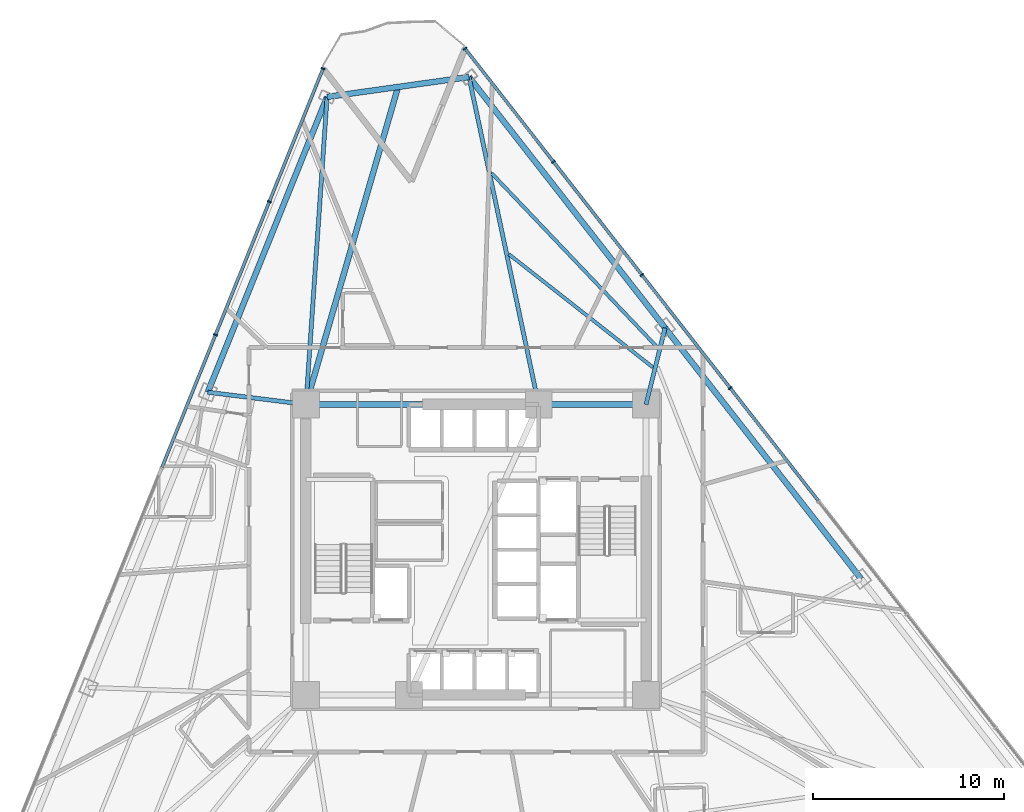
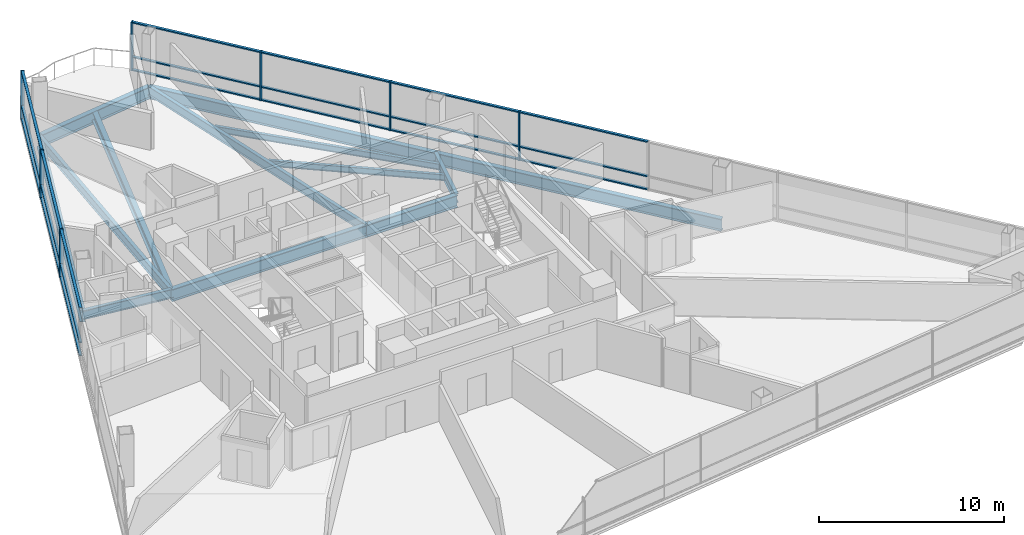
# One storey, part 5 of 15: 28 members, 13 beams, 2 elements without a shape of their own.
"""IFC4 building model written with IfcOpenShell, lengths in metres."""

from ifc_helpers import new_model, si_unit, direction, frame, origin, origin_2d, place, context, subcontext, project, spatial, rectangle, i_section, extrude, material, layer, layer_set, material_profile, profile_set, type_object, element, aggregate, save


model = new_model("IFC4")

# Units and contexts
model_context = context("Model", 3, precision=1e-05, world=origin(), true_north=direction((0.0, 1.0)))
body_context = subcontext(model_context, "Body", "Model", "MODEL_VIEW")
ifc_project = project(units=[si_unit("LENGTHUNIT", "METRE"), si_unit("AREAUNIT", "SQUARE_METRE"), si_unit("VOLUMEUNIT", "CUBIC_METRE"), si_unit("PLANEANGLEUNIT", "RADIAN"), si_unit("MASSUNIT", "GRAM", prefix="KILO")], contexts=[model_context])

# Site, building, storey
site_placement = place(None, origin())
site = spatial("IfcSite", under=ifc_project, at=site_placement, CompositionType="ELEMENT")
building_placement = place(site_placement, origin())
building = spatial("IfcBuilding", under=site, at=building_placement, Name="Tharavind Bronze Gate", CompositionType="ELEMENT")
storey_placement = place(building_placement, frame((0.0, 0.0, 77.64990234375)))
storey = spatial("IfcBuildingStorey", under=building, at=storey_placement, Name="L19", CompositionType="ELEMENT", Elevation=77.64990234375)

# Curtain wall, members
ifc_material_1 = material(Name="Anodised Bronze Aluminium", Category="aluminium")
ifc_layer = layer(ifc_material_1, 0.219970703125)
ifc_layer_set = layer_set([ifc_layer], Name="Anodised Bronze Aluminium")
curtain_wall_type = type_object("IfcCurtainWallType", Name="UNITISED CURTAIN WALL HOTEL", PredefinedType="USERDEFINED", material=ifc_layer_set)
curtain_wall_1_placement = place(storey_placement, origin())
curtain_wall_1 = element("IfcCurtainWall", 1, at=curtain_wall_1_placement, inside=storey, type_object=curtain_wall_type, Name="L19 unitised curtain wall hotel CW-L19-S1", ObjectType="UNITISED CURTAIN WALL", PredefinedType="USERDEFINED")
member_type_1 = type_object("IfcMemberType", Name="CURTAIN WALL MULLION 80X220", PredefinedType="MULLION", material=ifc_material_1)
member_1_placement = place(storey_placement, frame((-8.000732421875, 25.18310546875, 0.0), z_axis=(0.0, 0.0, 1.0), x_axis=(-0.374606593416, -0.927183854567, 0.0)))
member_1 = element("IfcMember", 2, at=member_1_placement, type_object=member_type_1, Name="CW-L19-S1 mullion 1", PredefinedType="MULLION", context=body_context, shape_type="SweptSolid", body=[
    extrude(rectangle(XDim=0.080078125, YDim=0.219970703125, at=origin_2d()), origin(), (0.0, 0.0, 1.0), 3.2099609375),
])
member_2_placement = place(storey_placement, frame((-10.81591796875, 18.215087890625, 0.0), z_axis=(0.0, 0.0, 1.0), x_axis=(-0.374606593416, -0.927183854567, 0.0)))
member_2 = element("IfcMember", 3, at=member_2_placement, type_object=member_type_1, Name="CW-L19-S1 mullion 2", PredefinedType="MULLION", context=body_context, shape_type="SweptSolid", body=[
    extrude(rectangle(XDim=0.080078125, YDim=0.219970703125, at=origin_2d()), origin(), (0.0, 0.0, 1.0), 3.2099609375),
])
member_3_placement = place(storey_placement, frame((-13.631103515625, 11.247314453125, 0.0), z_axis=(0.0, 0.0, 1.0), x_axis=(-0.374606593416, -0.927183854567, 0.0)))
member_3 = element("IfcMember", 4, at=member_3_placement, type_object=member_type_1, Name="CW-L19-S1 mullion 3", PredefinedType="MULLION", context=body_context, shape_type="SweptSolid", body=[
    extrude(rectangle(XDim=0.080078125, YDim=0.219970703125, at=origin_2d()), origin(), (0.0, 0.0, 1.0), 3.2099609375),
])

curtain_wall_2_placement = place(storey_placement, origin())
curtain_wall_2 = element("IfcCurtainWall", 5, at=curtain_wall_2_placement, inside=storey, type_object=curtain_wall_type, Name="L19 unitised curtain wall hotel CW-L19-S3", ObjectType="UNITISED CURTAIN WALL", PredefinedType="USERDEFINED")
member_4_placement = place(storey_placement, frame((13.306396484375, 8.4609375, 0.0), z_axis=(0.0, 0.0, 1.0), x_axis=(-0.615661475326, 0.788010753607, 0.0)))
member_4 = element("IfcMember", 6, at=member_4_placement, type_object=member_type_1, Name="CW-L19-S3 mullion 5", PredefinedType="MULLION", context=body_context, shape_type="SweptSolid", body=[
    extrude(rectangle(XDim=0.080078125, YDim=0.219970703125, at=origin_2d()), origin(), (0.0, 0.0, 1.0), 3.2099609375),
])
member_5_placement = place(storey_placement, frame((8.6796875, 14.383056640625, 0.0), z_axis=(0.0, 0.0, 1.0), x_axis=(-0.615661475326, 0.788010753607, 0.0)))
member_5 = element("IfcMember", 7, at=member_5_placement, type_object=member_type_1, Name="CW-L19-S3 mullion 6", PredefinedType="MULLION", context=body_context, shape_type="SweptSolid", body=[
    extrude(rectangle(XDim=0.080078125, YDim=0.219970703125, at=origin_2d()), origin(), (0.0, 0.0, 1.0), 3.2099609375),
])
member_6_placement = place(storey_placement, frame((4.052978515625, 20.304931640625, 0.0), z_axis=(0.0, 0.0, 1.0), x_axis=(-0.615661475326, 0.788010753607, 0.0)))
member_6 = element("IfcMember", 8, at=member_6_placement, type_object=member_type_1, Name="CW-L19-S3 mullion 7", PredefinedType="MULLION", context=body_context, shape_type="SweptSolid", body=[
    extrude(rectangle(XDim=0.080078125, YDim=0.219970703125, at=origin_2d()), origin(), (0.0, 0.0, 1.0), 3.2099609375),
])
member_7_placement = place(storey_placement, frame((-0.57373046875, 26.226806640625, 0.0), z_axis=(0.0, 0.0, 1.0), x_axis=(-0.615661475326, 0.788010753607, 0.0)))
member_7 = element("IfcMember", 9, at=member_7_placement, type_object=member_type_1, Name="CW-L19-S3 mullion 8", PredefinedType="MULLION", context=body_context, shape_type="SweptSolid", body=[
    extrude(rectangle(XDim=0.080078125, YDim=0.219970703125, at=origin_2d()), origin(), (0.0, 0.0, 1.0), 3.2099609375),
])

# Member
member_type_2 = type_object("IfcMemberType", Name="CURTAIN WALL TRANSOM 80X160", PredefinedType="USERDEFINED", material=ifc_material_1)
member_8_placement = place(storey_placement, frame((-9.408203125, 21.69921875, 0.0), z_axis=(0.0, 0.0, 1.0), x_axis=(-0.374606593416, -0.927183854567, 0.0)))
member_8 = element("IfcMember", 10, at=member_8_placement, type_object=member_type_2, Name="CW-L19-S1 transom TB1", ObjectType="TRANSOM", PredefinedType="USERDEFINED", context=body_context, shape_type="SweptSolid", body=[
    extrude(rectangle(XDim=7.447021484375, YDim=0.159912109375, at=origin_2d()), origin(), (0.0, 0.0, 1.0), 0.080078125),
])

member_9_placement = place(storey_placement, frame((-9.408203125, 21.69921875, 0.860107421875), z_axis=(0.0, 0.0, 1.0), x_axis=(-0.374606593416, -0.927183854567, 0.0)))
member_9 = element("IfcMember", 11, at=member_9_placement, type_object=member_type_2, Name="CW-L19-S1 transom TS1", ObjectType="TRANSOM", PredefinedType="USERDEFINED", context=body_context, shape_type="SweptSolid", body=[
    extrude(rectangle(XDim=7.447021484375, YDim=0.159912109375, at=origin_2d()), origin(), (0.0, 0.0, 1.0), 0.080078125),
])

member_10_placement = place(storey_placement, frame((-9.408203125, 21.69921875, 3.130126953125), z_axis=(0.0, 0.0, 1.0), x_axis=(-0.374606593416, -0.927183854567, 0.0)))
member_10 = element("IfcMember", 12, at=member_10_placement, type_object=member_type_2, Name="CW-L19-S1 transom TT1", ObjectType="TRANSOM", PredefinedType="USERDEFINED", context=body_context, shape_type="SweptSolid", body=[
    extrude(rectangle(XDim=7.447021484375, YDim=0.159912109375, at=origin_2d()), origin(), (0.0, 0.0, 1.0), 0.080078125),
])

member_11_placement = place(storey_placement, frame((-12.223388671875, 14.731201171875, 0.0), z_axis=(0.0, 0.0, 1.0), x_axis=(-0.374606593416, -0.927183854567, 0.0)))
member_11 = element("IfcMember", 13, at=member_11_placement, type_object=member_type_2, Name="CW-L19-S1 transom TB2", ObjectType="TRANSOM", PredefinedType="USERDEFINED", context=body_context, shape_type="SweptSolid", body=[
    extrude(rectangle(XDim=7.447021484375, YDim=0.159912109375, at=origin_2d()), origin(), (0.0, 0.0, 1.0), 0.080078125),
])

member_12_placement = place(storey_placement, frame((-12.223388671875, 14.731201171875, 0.860107421875), z_axis=(0.0, 0.0, 1.0), x_axis=(-0.374606593416, -0.927183854567, 0.0)))
member_12 = element("IfcMember", 14, at=member_12_placement, type_object=member_type_2, Name="CW-L19-S1 transom TS2", ObjectType="TRANSOM", PredefinedType="USERDEFINED", context=body_context, shape_type="SweptSolid", body=[
    extrude(rectangle(XDim=7.447021484375, YDim=0.159912109375, at=origin_2d()), origin(), (0.0, 0.0, 1.0), 0.080078125),
])

member_13_placement = place(storey_placement, frame((-12.223388671875, 14.731201171875, 3.130126953125), z_axis=(0.0, 0.0, 1.0), x_axis=(-0.374606593416, -0.927183854567, 0.0)))
member_13 = element("IfcMember", 15, at=member_13_placement, type_object=member_type_2, Name="CW-L19-S1 transom TT2", ObjectType="TRANSOM", PredefinedType="USERDEFINED", context=body_context, shape_type="SweptSolid", body=[
    extrude(rectangle(XDim=7.447021484375, YDim=0.159912109375, at=origin_2d()), origin(), (0.0, 0.0, 1.0), 0.080078125),
])

member_14_placement = place(storey_placement, frame((-15.038818359375, 7.763427734375, 0.0), z_axis=(0.0, 0.0, 1.0), x_axis=(-0.374606593416, -0.927183854567, 0.0)))
member_14 = element("IfcMember", 16, at=member_14_placement, type_object=member_type_2, Name="CW-L19-S1 transom TB3", ObjectType="TRANSOM", PredefinedType="USERDEFINED", context=body_context, shape_type="SweptSolid", body=[
    extrude(rectangle(XDim=7.447021484375, YDim=0.159912109375, at=origin_2d()), origin(), (0.0, 0.0, 1.0), 0.080078125),
])

member_15_placement = place(storey_placement, frame((-15.038818359375, 7.763427734375, 0.860107421875), z_axis=(0.0, 0.0, 1.0), x_axis=(-0.374606593416, -0.927183854567, 0.0)))
member_15 = element("IfcMember", 17, at=member_15_placement, type_object=member_type_2, Name="CW-L19-S1 transom TS3", ObjectType="TRANSOM", PredefinedType="USERDEFINED", context=body_context, shape_type="SweptSolid", body=[
    extrude(rectangle(XDim=7.447021484375, YDim=0.159912109375, at=origin_2d()), origin(), (0.0, 0.0, 1.0), 0.080078125),
])

member_16_placement = place(storey_placement, frame((-15.038818359375, 7.763427734375, 3.130126953125), z_axis=(0.0, 0.0, 1.0), x_axis=(-0.374606593416, -0.927183854567, 0.0)))
member_16 = element("IfcMember", 18, at=member_16_placement, type_object=member_type_2, Name="CW-L19-S1 transom TT3", ObjectType="TRANSOM", PredefinedType="USERDEFINED", context=body_context, shape_type="SweptSolid", body=[
    extrude(rectangle(XDim=7.447021484375, YDim=0.159912109375, at=origin_2d()), origin(), (0.0, 0.0, 1.0), 0.080078125),
])

aggregate(curtain_wall_1, [member_1, member_2, member_3, member_8, member_9, member_10, member_11, member_12, member_13, member_14, member_15, member_16])

member_17_placement = place(storey_placement, frame((15.619873046875, 5.5, 0.0), z_axis=(0.0, 0.0, 1.0), x_axis=(-0.615661475326, 0.788010753607, 0.0)))
member_17 = element("IfcMember", 19, at=member_17_placement, type_object=member_type_2, Name="CW-L19-S3 transom TB4", ObjectType="TRANSOM", PredefinedType="USERDEFINED", context=body_context, shape_type="SweptSolid", body=[
    extrude(rectangle(XDim=7.447021484375, YDim=0.159912109375, at=origin_2d()), origin(), (0.0, 0.0, 1.0), 0.080078125),
])

member_18_placement = place(storey_placement, frame((15.619873046875, 5.5, 0.860107421875), z_axis=(0.0, 0.0, 1.0), x_axis=(-0.615661475326, 0.788010753607, 0.0)))
member_18 = element("IfcMember", 20, at=member_18_placement, type_object=member_type_2, Name="CW-L19-S3 transom TS4", ObjectType="TRANSOM", PredefinedType="USERDEFINED", context=body_context, shape_type="SweptSolid", body=[
    extrude(rectangle(XDim=7.447021484375, YDim=0.159912109375, at=origin_2d()), origin(), (0.0, 0.0, 1.0), 0.080078125),
])

member_19_placement = place(storey_placement, frame((15.619873046875, 5.5, 3.130126953125), z_axis=(0.0, 0.0, 1.0), x_axis=(-0.615661475326, 0.788010753607, 0.0)))
member_19 = element("IfcMember", 21, at=member_19_placement, type_object=member_type_2, Name="CW-L19-S3 transom TT4", ObjectType="TRANSOM", PredefinedType="USERDEFINED", context=body_context, shape_type="SweptSolid", body=[
    extrude(rectangle(XDim=7.447021484375, YDim=0.159912109375, at=origin_2d()), origin(), (0.0, 0.0, 1.0), 0.080078125),
])

member_20_placement = place(storey_placement, frame((10.9931640625, 11.422119140625, 0.0), z_axis=(0.0, 0.0, 1.0), x_axis=(-0.615661475326, 0.788010753607, 0.0)))
member_20 = element("IfcMember", 22, at=member_20_placement, type_object=member_type_2, Name="CW-L19-S3 transom TB5", ObjectType="TRANSOM", PredefinedType="USERDEFINED", context=body_context, shape_type="SweptSolid", body=[
    extrude(rectangle(XDim=7.447021484375, YDim=0.159912109375, at=origin_2d()), origin(), (0.0, 0.0, 1.0), 0.080078125),
])

member_21_placement = place(storey_placement, frame((10.9931640625, 11.422119140625, 0.860107421875), z_axis=(0.0, 0.0, 1.0), x_axis=(-0.615661475326, 0.788010753607, 0.0)))
member_21 = element("IfcMember", 23, at=member_21_placement, type_object=member_type_2, Name="CW-L19-S3 transom TS5", ObjectType="TRANSOM", PredefinedType="USERDEFINED", context=body_context, shape_type="SweptSolid", body=[
    extrude(rectangle(XDim=7.447021484375, YDim=0.159912109375, at=origin_2d()), origin(), (0.0, 0.0, 1.0), 0.080078125),
])

member_22_placement = place(storey_placement, frame((10.9931640625, 11.422119140625, 3.130126953125), z_axis=(0.0, 0.0, 1.0), x_axis=(-0.615661475326, 0.788010753607, 0.0)))
member_22 = element("IfcMember", 24, at=member_22_placement, type_object=member_type_2, Name="CW-L19-S3 transom TT5", ObjectType="TRANSOM", PredefinedType="USERDEFINED", context=body_context, shape_type="SweptSolid", body=[
    extrude(rectangle(XDim=7.447021484375, YDim=0.159912109375, at=origin_2d()), origin(), (0.0, 0.0, 1.0), 0.080078125),
])

member_23_placement = place(storey_placement, frame((6.366455078125, 17.343994140625, 0.0), z_axis=(0.0, 0.0, 1.0), x_axis=(-0.615661475326, 0.788010753607, 0.0)))
member_23 = element("IfcMember", 25, at=member_23_placement, type_object=member_type_2, Name="CW-L19-S3 transom TB6", ObjectType="TRANSOM", PredefinedType="USERDEFINED", context=body_context, shape_type="SweptSolid", body=[
    extrude(rectangle(XDim=7.447021484375, YDim=0.159912109375, at=origin_2d()), origin(), (0.0, 0.0, 1.0), 0.080078125),
])

member_24_placement = place(storey_placement, frame((6.366455078125, 17.343994140625, 0.860107421875), z_axis=(0.0, 0.0, 1.0), x_axis=(-0.615661475326, 0.788010753607, 0.0)))
member_24 = element("IfcMember", 26, at=member_24_placement, type_object=member_type_2, Name="CW-L19-S3 transom TS6", ObjectType="TRANSOM", PredefinedType="USERDEFINED", context=body_context, shape_type="SweptSolid", body=[
    extrude(rectangle(XDim=7.447021484375, YDim=0.159912109375, at=origin_2d()), origin(), (0.0, 0.0, 1.0), 0.080078125),
])

member_25_placement = place(storey_placement, frame((6.366455078125, 17.343994140625, 3.130126953125), z_axis=(0.0, 0.0, 1.0), x_axis=(-0.615661475326, 0.788010753607, 0.0)))
member_25 = element("IfcMember", 27, at=member_25_placement, type_object=member_type_2, Name="CW-L19-S3 transom TT6", ObjectType="TRANSOM", PredefinedType="USERDEFINED", context=body_context, shape_type="SweptSolid", body=[
    extrude(rectangle(XDim=7.447021484375, YDim=0.159912109375, at=origin_2d()), origin(), (0.0, 0.0, 1.0), 0.080078125),
])

member_26_placement = place(storey_placement, frame((1.73974609375, 23.265869140625, 0.0), z_axis=(0.0, 0.0, 1.0), x_axis=(-0.615661475326, 0.788010753607, 0.0)))
member_26 = element("IfcMember", 28, at=member_26_placement, type_object=member_type_2, Name="CW-L19-S3 transom TB7", ObjectType="TRANSOM", PredefinedType="USERDEFINED", context=body_context, shape_type="SweptSolid", body=[
    extrude(rectangle(XDim=7.447021484375, YDim=0.159912109375, at=origin_2d()), origin(), (0.0, 0.0, 1.0), 0.080078125),
])

member_27_placement = place(storey_placement, frame((1.73974609375, 23.265869140625, 0.860107421875), z_axis=(0.0, 0.0, 1.0), x_axis=(-0.615661475326, 0.788010753607, 0.0)))
member_27 = element("IfcMember", 29, at=member_27_placement, type_object=member_type_2, Name="CW-L19-S3 transom TS7", ObjectType="TRANSOM", PredefinedType="USERDEFINED", context=body_context, shape_type="SweptSolid", body=[
    extrude(rectangle(XDim=7.447021484375, YDim=0.159912109375, at=origin_2d()), origin(), (0.0, 0.0, 1.0), 0.080078125),
])

member_28_placement = place(storey_placement, frame((1.73974609375, 23.265869140625, 3.130126953125), z_axis=(0.0, 0.0, 1.0), x_axis=(-0.615661475326, 0.788010753607, 0.0)))
member_28 = element("IfcMember", 30, at=member_28_placement, type_object=member_type_2, Name="CW-L19-S3 transom TT7", ObjectType="TRANSOM", PredefinedType="USERDEFINED", context=body_context, shape_type="SweptSolid", body=[
    extrude(rectangle(XDim=7.447021484375, YDim=0.159912109375, at=origin_2d()), origin(), (0.0, 0.0, 1.0), 0.080078125),
])

aggregate(curtain_wall_2, [member_4, member_5, member_6, member_7, member_17, member_18, member_19, member_20, member_21, member_22, member_23, member_24, member_25, member_26, member_27, member_28])

# Beams
ifc_material_2 = material(Name="Steel S355", Category="steel")
ifc_material_profile_1 = material_profile(ifc_material_2, i_section(OverallWidth=0.300048828125, OverallDepth=0.64990234375, WebThickness=0.01611328125, FlangeThickness=0.031005859375, at=origin_2d()), Name="HE650B")
ifc_profile_set_1 = profile_set([ifc_material_profile_1], Name="Steel S355")
beam_type_1 = type_object("IfcBeamType", Name="PRIMARY GIRDER HE650B", PredefinedType="USERDEFINED", material=ifc_profile_set_1)
beam_1_placement = place(storey_placement, frame((-8.89990234375, 7.60009765625, -0.5), z_axis=(0.278626347577, 0.960399582693, 0.0), x_axis=(-0.960399582693, 0.278626347577, 0.0)))
element("IfcBeam", 31, at=beam_1_placement, inside=storey, type_object=beam_type_1, Name="L19 primary girder he650b BM-L19-BLCSB", ObjectType="GIRDER", PredefinedType="USERDEFINED", context=body_context, shape_type="SweptSolid", body=[
    extrude(i_section(OverallWidth=0.300048828125, OverallDepth=0.64990234375, WebThickness=0.01611328125, FlangeThickness=0.031005859375, at=origin_2d()), origin(), (0.0, 0.0, 1.0), 17.3046875),
])
ifc_material_profile_2 = material_profile(ifc_material_2, i_section(OverallWidth=0.219970703125, OverallDepth=0.60009765625, WebThickness=0.011962890625, FlangeThickness=0.01904296875, at=origin_2d()), Name="IPE600")
ifc_profile_set_2 = profile_set([ifc_material_profile_2], Name="Steel S355")
beam_type_2 = type_object("IfcBeamType", Name="PRIMARY GIRDER IPE600", PredefinedType="USERDEFINED", material=ifc_profile_set_2)
beam_2_placement = place(storey_placement, frame((-7.7919921875, 23.69775390625, -0.474853515625), z_axis=(-0.06866188826, -0.997639987721, 0.0), x_axis=(0.997639987721, -0.06866188826, 0.0)))
element("IfcBeam", 32, at=beam_2_placement, inside=storey, type_object=beam_type_2, Name="L19 primary girder ipe600 BM-L19-RAD01", ObjectType="GIRDER", PredefinedType="USERDEFINED", context=body_context, shape_type="SweptSolid", body=[
    extrude(i_section(OverallWidth=0.219970703125, OverallDepth=0.60009765625, WebThickness=0.011962890625, FlangeThickness=0.01904296875, at=origin_2d()), origin(), (0.0, 0.0, 1.0), 16.1357421875),
])
beam_3_placement = place(storey_placement, frame((-14.036376953125, 8.2421875, -0.474853515625), z_axis=(0.992277151101, -0.124040539351, 0.0), x_axis=(0.124040539351, 0.992277151101, 0.0)))
element("IfcBeam", 33, at=beam_3_placement, inside=storey, type_object=beam_type_2, Name="L19 primary girder ipe600 BM-L19-RAD02", ObjectType="GIRDER", PredefinedType="USERDEFINED", context=body_context, shape_type="SweptSolid", body=[
    extrude(i_section(OverallWidth=0.219970703125, OverallDepth=0.60009765625, WebThickness=0.011962890625, FlangeThickness=0.01904296875, at=origin_2d()), origin(), (0.0, 0.0, 1.0), 5.176513671875),
])
beam_4_placement = place(storey_placement, frame((9.897705078125, 11.60595703125, -0.474853515625), z_axis=(-0.241700633281, -0.970350866373, 0.0), x_axis=(0.970350866373, -0.241700633281, 0.0)))
element("IfcBeam", 34, at=beam_4_placement, inside=storey, type_object=beam_type_2, Name="L19 primary girder ipe600 BM-L19-RAD11", ObjectType="GIRDER", PredefinedType="USERDEFINED", context=body_context, shape_type="SweptSolid", body=[
    extrude(i_section(OverallWidth=0.219970703125, OverallDepth=0.60009765625, WebThickness=0.011962890625, FlangeThickness=0.01904296875, at=origin_2d()), origin(), (0.0, 0.0, 1.0), 4.128173828125),
])
beam_5_placement = place(storey_placement, frame((-0.364990234375, 24.741455078125, -0.474853515625), z_axis=(0.207994213737, -0.978130056307, 0.0), x_axis=(0.978130056307, 0.207994213737, 0.0)))
element("IfcBeam", 35, at=beam_5_placement, inside=storey, type_object=beam_type_2, Name="L19 primary girder ipe600 BM-L19-RAD12", ObjectType="GIRDER", PredefinedType="USERDEFINED", context=body_context, shape_type="SweptSolid", body=[
    extrude(i_section(OverallWidth=0.219970703125, OverallDepth=0.60009765625, WebThickness=0.011962890625, FlangeThickness=0.01904296875, at=origin_2d()), origin(), (0.0, 0.0, 1.0), 17.524658203125),
])
ifc_material_profile_3 = material_profile(ifc_material_2, i_section(OverallWidth=0.300048828125, OverallDepth=0.800048828125, WebThickness=0.017578125, FlangeThickness=0.032958984375, at=origin_2d()), Name="HE800B")
ifc_profile_set_3 = profile_set([ifc_material_profile_3], Name="Steel S355")
beam_type_3 = type_object("IfcBeamType", Name="RING GIRDER HE800B", PredefinedType="USERDEFINED", material=ifc_profile_set_3)
beam_6_placement = place(storey_placement, frame((8.89990234375, 7.60009765625, -0.574951171875), z_axis=(-1.0, 0.0, 0.0), x_axis=(0.0, -1.0, 0.0)))
element("IfcBeam", 36, at=beam_6_placement, inside=storey, type_object=beam_type_3, Name="L19 ring girder he800b BM-L19-CR4", ObjectType="GIRDER", PredefinedType="USERDEFINED", context=body_context, shape_type="SweptSolid", body=[
    extrude(i_section(OverallWidth=0.300048828125, OverallDepth=0.800048828125, WebThickness=0.017578125, FlangeThickness=0.032958984375, at=origin_2d()), origin(), (0.0, 0.0, 1.0), 5.619873046875),
])
beam_7_placement = place(storey_placement, frame((3.280029296875, 7.60009765625, -0.574951171875), z_axis=(-1.0, 0.0, 0.0), x_axis=(0.0, -1.0, 0.0)))
element("IfcBeam", 37, at=beam_7_placement, inside=storey, type_object=beam_type_3, Name="L19 ring girder he800b BM-L19-CR5", ObjectType="GIRDER", PredefinedType="USERDEFINED", context=body_context, shape_type="SweptSolid", body=[
    extrude(i_section(OverallWidth=0.300048828125, OverallDepth=0.800048828125, WebThickness=0.017578125, FlangeThickness=0.032958984375, at=origin_2d()), origin(), (0.0, 0.0, 1.0), 12.179931640625),
])
beam_8_placement = place(storey_placement, frame((-7.7919921875, 23.69775390625, -0.574951171875), z_axis=(-0.374603014443, -0.927185300557, 0.0), x_axis=(0.927185300557, -0.374603014443, 0.0)))
element("IfcBeam", 38, at=beam_8_placement, inside=storey, type_object=beam_type_3, Name="L19 ring girder he800b BM-L19-PRG01", ObjectType="GIRDER", PredefinedType="USERDEFINED", context=body_context, shape_type="SweptSolid", body=[
    extrude(i_section(OverallWidth=0.300048828125, OverallDepth=0.800048828125, WebThickness=0.017578125, FlangeThickness=0.032958984375, at=origin_2d()), origin(), (0.0, 0.0, 1.0), 16.66943359375),
])
beam_9_placement = place(storey_placement, frame((20.16015625, -1.529296875, -0.574951171875), z_axis=(-0.615663937513, 0.788008829929, 0.0), x_axis=(-0.788008829929, -0.615663937513, 0.0)))
element("IfcBeam", 39, at=beam_9_placement, inside=storey, type_object=beam_type_3, Name="L19 ring girder he800b BM-L19-PRG10", ObjectType="GIRDER", PredefinedType="USERDEFINED", context=body_context, shape_type="SweptSolid", body=[
    extrude(i_section(OverallWidth=0.300048828125, OverallDepth=0.800048828125, WebThickness=0.017578125, FlangeThickness=0.032958984375, at=origin_2d()), origin(), (0.0, 0.0, 1.0), 16.6689453125),
])
beam_10_placement = place(storey_placement, frame((9.897705078125, 11.60595703125, -0.574951171875), z_axis=(-0.615665926595, 0.788007275873, 0.0), x_axis=(-0.788007275873, -0.615665926595, 0.0)))
element("IfcBeam", 40, at=beam_10_placement, inside=storey, type_object=beam_type_3, Name="L19 ring girder he800b BM-L19-PRG11", ObjectType="GIRDER", PredefinedType="USERDEFINED", context=body_context, shape_type="SweptSolid", body=[
    extrude(i_section(OverallWidth=0.300048828125, OverallDepth=0.800048828125, WebThickness=0.017578125, FlangeThickness=0.032958984375, at=origin_2d()), origin(), (0.0, 0.0, 1.0), 16.669189453125),
])
beam_11_placement = place(storey_placement, frame((-0.364990234375, 24.741455078125, -0.574951171875), z_axis=(-0.990269830577, -0.139160564272, 0.0), x_axis=(0.139160564272, -0.990269830577, 0.0)))
element("IfcBeam", 41, at=beam_11_placement, inside=storey, type_object=beam_type_3, Name="L19 ring girder he800b BM-L19-PRG12", ObjectType="GIRDER", PredefinedType="USERDEFINED", context=body_context, shape_type="SweptSolid", body=[
    extrude(i_section(OverallWidth=0.300048828125, OverallDepth=0.800048828125, WebThickness=0.017578125, FlangeThickness=0.032958984375, at=origin_2d()), origin(), (0.0, 0.0, 1.0), 7.5),
])
ifc_material_profile_4 = material_profile(ifc_material_2, i_section(OverallWidth=0.179931640625, OverallDepth=0.39990234375, WebThickness=0.008544921875, FlangeThickness=0.013427734375, at=origin_2d()), Name="IPE400")
ifc_profile_set_4 = profile_set([ifc_material_profile_4], Name="Steel S355")
beam_type_4 = type_object("IfcBeamType", Name="SECONDARY FLOOR JOIST IPE400", PredefinedType="JOIST", material=ifc_profile_set_4)
beam_12_placement = place(storey_placement, frame((9.265869140625, 9.539794921875, -0.375), z_axis=(-0.786502051984, 0.617587663595, 0.0), x_axis=(-0.617587663595, -0.786502051984, 0.0)))
element("IfcBeam", 42, at=beam_12_placement, inside=storey, type_object=beam_type_4, Name="L19 secondary floor joist ipe400 BM-L19-JSTA11", PredefinedType="JOIST", context=body_context, shape_type="SweptSolid", body=[
    extrude(i_section(OverallWidth=0.179931640625, OverallDepth=0.39990234375, WebThickness=0.008544921875, FlangeThickness=0.013427734375, at=origin_2d()), origin(), (0.0, 0.0, 1.0), 9.58984375),
])
beam_13_placement = place(storey_placement, frame((9.520751953125, 10.5615234375, -0.375), z_axis=(-0.689438692016, 0.724344041151, 0.0), x_axis=(-0.724344041151, -0.689438692016, 0.0)))
element("IfcBeam", 43, at=beam_13_placement, inside=storey, type_object=beam_type_4, Name="L19 secondary floor joist ipe400 BM-L19-JSTB11", PredefinedType="JOIST", context=body_context, shape_type="SweptSolid", body=[
    extrude(i_section(OverallWidth=0.179931640625, OverallDepth=0.39990234375, WebThickness=0.008544921875, FlangeThickness=0.013427734375, at=origin_2d()), origin(), (0.0, 0.0, 1.0), 12.617919921875),
])

save(model, "model.ifc")
